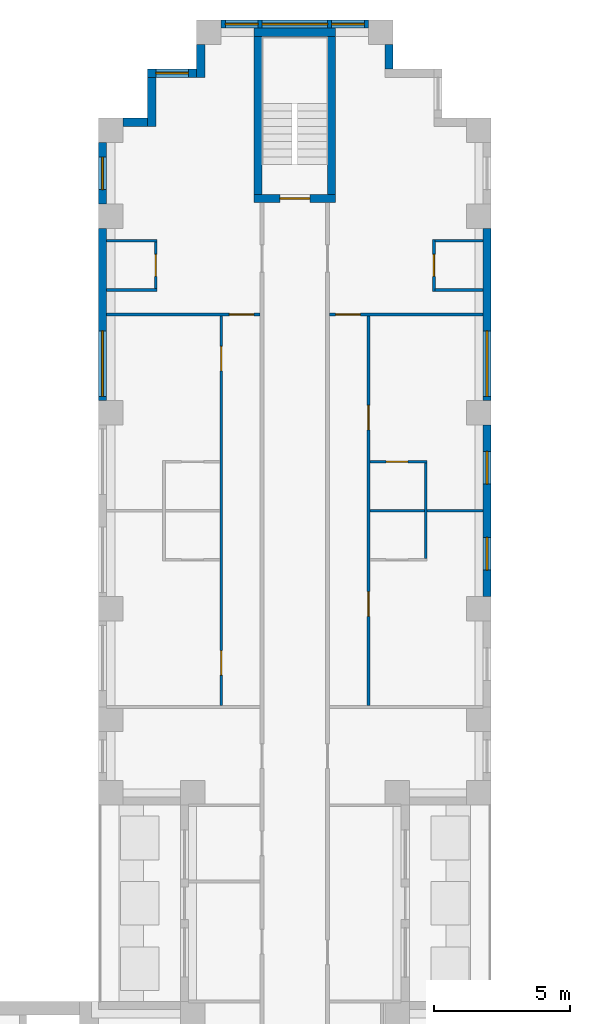
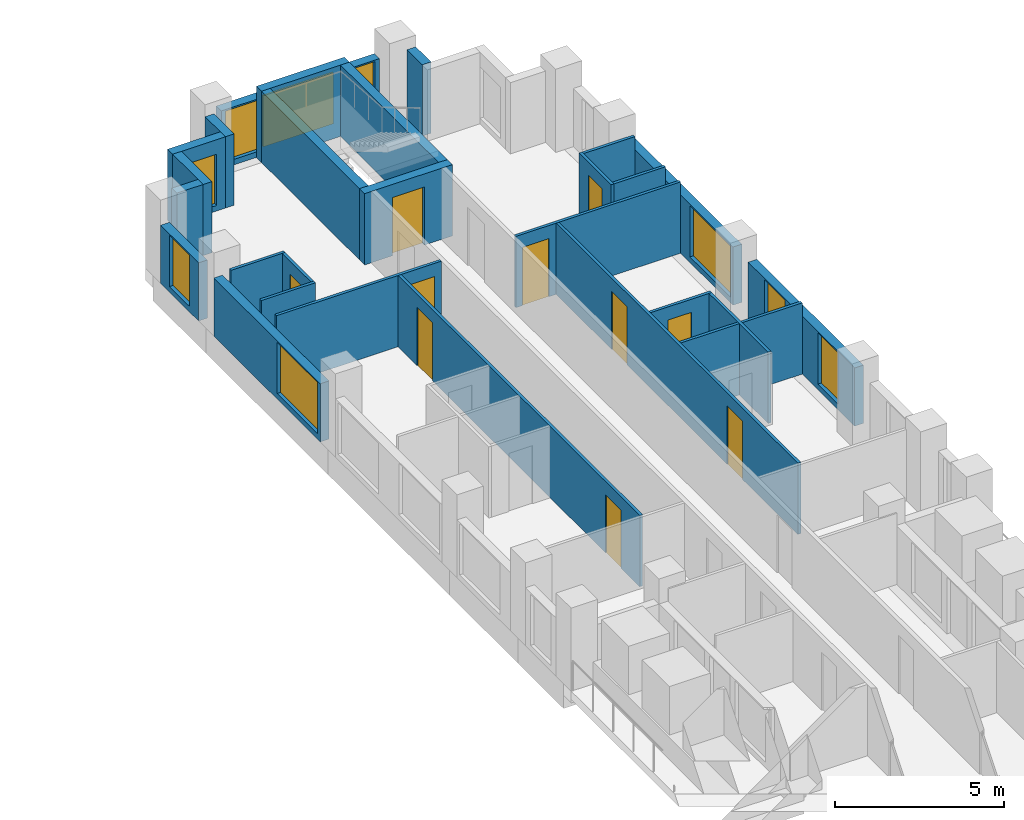
# One storey, part 12 of 16: 27 walls, 10 doors, 9 windows, 19 openings.
"""IFC4 building model written with IfcOpenShell, lengths in metres."""

from ifc_helpers import new_model, si_unit, direction, frame, frame_2d, origin, place, context, subcontext, project, spatial, rectangle, extrude, material, layer, layer_set, type_object, element, fill, save


model = new_model("IFC4")

# Units and contexts
model_context = context("Model", 3, precision=1e-05, world=origin(), true_north=direction((0.0, 1.0)))
body_context = subcontext(model_context, "Body", "Model", "MODEL_VIEW")
ifc_project = project(units=[si_unit("LENGTHUNIT", "METRE"), si_unit("AREAUNIT", "SQUARE_METRE"), si_unit("VOLUMEUNIT", "CUBIC_METRE"), si_unit("PLANEANGLEUNIT", "RADIAN"), si_unit("MASSUNIT", "GRAM", prefix="KILO")], contexts=[model_context])

# Site, building, storey
site_placement = place(None, origin())
site = spatial("IfcSite", under=ifc_project, at=site_placement, CompositionType="ELEMENT")
building_placement = place(site_placement, origin())
building = spatial("IfcBuilding", under=site, at=building_placement, Name="Fustian Cross Tower", CompositionType="ELEMENT")
storey_placement = place(building_placement, frame((0.0, 0.0, 26.699951171875)))
storey = spatial("IfcBuildingStorey", under=building, at=storey_placement, Name="L07", CompositionType="ELEMENT", Elevation=26.699951171875)

# Wall, opening, door
ifc_material_1 = material(Name="Plasterboard on steel stud", Category="steel")
ifc_layer_1 = layer(ifc_material_1, 0.10009765625)
ifc_layer_set_1 = layer_set([ifc_layer_1], Name="Plasterboard on steel stud")
wall_type_1 = type_object("IfcWallType", Name="PARTITION 100 STUD", PredefinedType="PARTITIONING", material=ifc_layer_set_1)
wall_1_placement = place(storey_placement, frame((-6.89990234375, 32.39990234375, 0.0), z_axis=(0.0, 0.0, 1.0), x_axis=(1.0, 0.0, 0.0)))
wall_1 = element("IfcWall", 1, at=wall_1_placement, inside=storey, type_object=wall_type_1, Name="Partition 26", PredefinedType="PARTITIONING", context=body_context, shape_type="SweptSolid", body=[
    extrude(rectangle(XDim=5.625, YDim=0.10009765625, at=frame_2d((2.8125, 0.0))), origin(), (0.0, 0.0, 1.0), 2.574951171875),
])
opening_1_placement = place(wall_1_placement, frame((4.5, 0.0, 0.0)))
opening_1 = element("IfcOpeningElement", 2, at=opening_1_placement, cuts=wall_1, Name="Opening D05027", PredefinedType="OPENING", context=body_context, shape_type="SweptSolid", body=[
    extrude(rectangle(XDim=0.89990234375, YDim=2.10009765625, at=frame_2d((0.449951171875, 1.050048828125))), frame((0.0, 0.06005859375, 0.0), z_axis=(0.0, -1.0, 0.0), x_axis=(1.0, 0.0, 0.0)), (0.0, 0.0, 1.0), 0.1201171875),
])
ifc_material_2 = material(Name="Painted timber", Category="wood")
door_type_1 = type_object("IfcDoorType", Name="SWING DOOR 900", OperationType="SINGLE_SWING_LEFT", PredefinedType="DOOR", material=ifc_material_2)
door_1_placement = place(opening_1_placement, frame((0.89990234375, 0.0, 0.0), z_axis=(0.0, 0.0, 1.0), x_axis=(-1.0, 0.0, 0.0)))
door_1 = element("IfcDoor", 3, at=door_1_placement, inside=storey, type_object=door_type_1, Name="Door D05027", OperationType="SINGLE_SWING_RIGHT", OverallHeight=2.10009765625, OverallWidth=0.89990234375, PredefinedType="DOOR", context=body_context, shape_type="SweptSolid", body=[
    extrude(rectangle(XDim=0.89990234375, YDim=2.10009765625, at=frame_2d((0.449951171875, 1.050048828125))), frame((0.0, 0.02490234375, 0.0), z_axis=(0.0, -1.0, 0.0), x_axis=(1.0, 0.0, 0.0)), (0.0, 0.0, 1.0), 0.050048828125),
])
fill(opening_1, door_1)

# Walls
for number, where, z_axis, x_axis, name in (
    (4, (-6.89990234375, 33.300048828125, 0.0), (0.0, 0.0, 1.0), (1.0, 0.0, 0.0), "Partition 27"),
    (5, (-6.89990234375, 35.10009765625, 0.0), (0.0, 0.0, 1.0), (1.0, 0.0, 0.0), "Partition 28"),
):
    element("IfcWall", number, at=place(storey_placement, frame(where, z_axis=z_axis, x_axis=x_axis)), inside=storey, type_object=wall_type_1, Name=name, PredefinedType="PARTITIONING", context=body_context, shape_type="SweptSolid", body=[
        extrude(rectangle(XDim=1.849853515625, YDim=0.10009765625, at=frame_2d((0.9248046875, 0.0))), origin(), (0.0, 0.0, 1.0), 2.574951171875),
    ])

# Wall, opening, door
wall_2_placement = place(storey_placement, frame((-5.10009765625, 33.35009765625, 0.0), z_axis=(0.0, 0.0, 1.0), x_axis=(0.0, 1.0, 0.0)))
wall_2 = element("IfcWall", 6, at=wall_2_placement, inside=storey, type_object=wall_type_1, Name="Partition 32", PredefinedType="PARTITIONING", context=body_context, shape_type="SweptSolid", body=[
    extrude(rectangle(XDim=1.699951171875, YDim=0.10009765625, at=frame_2d((0.85009765625, 0.0))), origin(), (0.0, 0.0, 1.0), 2.574951171875),
])
opening_2_placement = place(wall_2_placement, frame((0.449951171875, 0.0, 0.0)))
opening_2 = element("IfcOpeningElement", 7, at=opening_2_placement, cuts=wall_2, Name="Opening D05023", PredefinedType="OPENING", context=body_context, shape_type="SweptSolid", body=[
    extrude(rectangle(XDim=0.800048828125, YDim=2.10009765625, at=frame_2d((0.39990234375, 1.050048828125))), frame((0.0, 0.06005859375, 0.0), z_axis=(0.0, -1.0, 0.0), x_axis=(1.0, 0.0, 0.0)), (0.0, 0.0, 1.0), 0.1201171875),
])
ifc_material_3 = material(Name="Painted timber", Category="wood")
door_type_2 = type_object("IfcDoorType", Name="SWING DOOR 800", OperationType="SINGLE_SWING_LEFT", PredefinedType="DOOR", material=ifc_material_3)
door_2_placement = place(opening_2_placement, origin())
door_2 = element("IfcDoor", 8, at=door_2_placement, inside=storey, type_object=door_type_2, Name="Door D05023", OperationType="SINGLE_SWING_RIGHT", OverallHeight=2.10009765625, OverallWidth=0.800048828125, PredefinedType="DOOR", context=body_context, shape_type="SweptSolid", body=[
    extrude(rectangle(XDim=0.800048828125, YDim=2.10009765625, at=frame_2d((0.39990234375, 1.050048828125))), frame((0.0, 0.02490234375, 0.0), z_axis=(0.0, -1.0, 0.0), x_axis=(1.0, 0.0, 0.0)), (0.0, 0.0, 1.0), 0.050048828125),
])
fill(opening_2, door_2)

# Wall, openings, doors
wall_3_placement = place(storey_placement, frame((-2.699951171875, 18.050048828125, 0.0), z_axis=(0.0, 0.0, 1.0), x_axis=(0.0, 1.0, 0.0)))
wall_3 = element("IfcWall", 9, at=wall_3_placement, inside=storey, type_object=wall_type_1, Name="Partition 50", PredefinedType="PARTITIONING", context=body_context, shape_type="SweptSolid", body=[
    extrude(rectangle(XDim=14.300048828125, YDim=0.10009765625, at=frame_2d((7.14990234375, 0.0))), origin(), (0.0, 0.0, 1.0), 2.574951171875),
])
opening_3_placement = place(wall_3_placement, frame((1.1201171875, 0.0, 0.0)))
opening_3 = element("IfcOpeningElement", 10, at=opening_3_placement, cuts=wall_3, Name="Opening D05025", PredefinedType="OPENING", context=body_context, shape_type="SweptSolid", body=[
    extrude(rectangle(XDim=0.89990234375, YDim=2.10009765625, at=frame_2d((0.449951171875, 1.050048828125))), frame((0.0, 0.06005859375, 0.0), z_axis=(0.0, -1.0, 0.0), x_axis=(1.0, 0.0, 0.0)), (0.0, 0.0, 1.0), 0.1201171875),
])
opening_4_placement = place(wall_3_placement, frame((12.280029296875, 0.0, 0.0)))
opening_4 = element("IfcOpeningElement", 11, at=opening_4_placement, cuts=wall_3, Name="Opening D05026", PredefinedType="OPENING", context=body_context, shape_type="SweptSolid", body=[
    extrude(rectangle(XDim=0.89990234375, YDim=2.10009765625, at=frame_2d((0.449951171875, 1.050048828125))), frame((0.0, 0.06005859375, 0.0), z_axis=(0.0, -1.0, 0.0), x_axis=(1.0, 0.0, 0.0)), (0.0, 0.0, 1.0), 0.1201171875),
])
door_3_placement = place(opening_3_placement, frame((0.89990234375, 0.0, 0.0), z_axis=(0.0, 0.0, 1.0), x_axis=(-1.0, 0.0, 0.0)))
door_3 = element("IfcDoor", 12, at=door_3_placement, inside=storey, type_object=door_type_1, Name="Door D05025", OperationType="SINGLE_SWING_RIGHT", OverallHeight=2.10009765625, OverallWidth=0.89990234375, PredefinedType="DOOR", context=body_context, shape_type="SweptSolid", body=[
    extrude(rectangle(XDim=0.89990234375, YDim=2.10009765625, at=frame_2d((0.449951171875, 1.050048828125))), frame((0.0, 0.02490234375, 0.0), z_axis=(0.0, -1.0, 0.0), x_axis=(1.0, 0.0, 0.0)), (0.0, 0.0, 1.0), 0.050048828125),
])
fill(opening_3, door_3)
door_4_placement = place(opening_4_placement, frame((0.89990234375, 0.0, 0.0), z_axis=(0.0, 0.0, 1.0), x_axis=(-1.0, 0.0, 0.0)))
door_4 = element("IfcDoor", 13, at=door_4_placement, inside=storey, type_object=door_type_1, Name="Door D05026", OperationType="SINGLE_SWING_LEFT", OverallHeight=2.10009765625, OverallWidth=0.89990234375, PredefinedType="DOOR", context=body_context, shape_type="SweptSolid", body=[
    extrude(rectangle(XDim=0.89990234375, YDim=2.10009765625, at=frame_2d((0.449951171875, 1.050048828125))), frame((0.0, 0.02490234375, 0.0), z_axis=(0.0, -1.0, 0.0), x_axis=(1.0, 0.0, 0.0)), (0.0, 0.0, 1.0), 0.050048828125),
])
fill(opening_4, door_4)

# Wall, opening, door
wall_4_placement = place(storey_placement, frame((1.27490234375, 32.39990234375, 0.0), z_axis=(0.0, 0.0, 1.0), x_axis=(1.0, 0.0, 0.0)))
wall_4 = element("IfcWall", 14, at=wall_4_placement, inside=storey, type_object=wall_type_1, Name="Partition 63", PredefinedType="PARTITIONING", context=body_context, shape_type="SweptSolid", body=[
    extrude(rectangle(XDim=5.625, YDim=0.10009765625, at=frame_2d((2.8125, 0.0))), origin(), (0.0, 0.0, 1.0), 2.574951171875),
])
opening_5_placement = place(wall_4_placement, frame((0.22509765625, 0.0, 0.0)))
opening_5 = element("IfcOpeningElement", 15, at=opening_5_placement, cuts=wall_4, Name="Opening D05034", PredefinedType="OPENING", context=body_context, shape_type="SweptSolid", body=[
    extrude(rectangle(XDim=0.89990234375, YDim=2.10009765625, at=frame_2d((0.449951171875, 1.050048828125))), frame((0.0, 0.06005859375, 0.0), z_axis=(0.0, -1.0, 0.0), x_axis=(1.0, 0.0, 0.0)), (0.0, 0.0, 1.0), 0.1201171875),
])
door_5_placement = place(opening_5_placement, frame((0.89990234375, 0.0, 0.0), z_axis=(0.0, 0.0, 1.0), x_axis=(-1.0, 0.0, 0.0)))
door_5 = element("IfcDoor", 16, at=door_5_placement, inside=storey, type_object=door_type_1, Name="Door D05034", OperationType="SINGLE_SWING_RIGHT", OverallHeight=2.10009765625, OverallWidth=0.89990234375, PredefinedType="DOOR", context=body_context, shape_type="SweptSolid", body=[
    extrude(rectangle(XDim=0.89990234375, YDim=2.10009765625, at=frame_2d((0.449951171875, 1.050048828125))), frame((0.0, 0.02490234375, 0.0), z_axis=(0.0, -1.0, 0.0), x_axis=(1.0, 0.0, 0.0)), (0.0, 0.0, 1.0), 0.050048828125),
])
fill(opening_5, door_5)

# Wall, openings, doors
wall_5_placement = place(storey_placement, frame((2.699951171875, 18.050048828125, 0.0), z_axis=(0.0, 0.0, 1.0), x_axis=(0.0, 1.0, 0.0)))
wall_5 = element("IfcWall", 17, at=wall_5_placement, inside=storey, type_object=wall_type_1, Name="Partition 75", PredefinedType="PARTITIONING", context=body_context, shape_type="SweptSolid", body=[
    extrude(rectangle(XDim=14.300048828125, YDim=0.10009765625, at=frame_2d((7.14990234375, 0.0))), origin(), (0.0, 0.0, 1.0), 2.574951171875),
])
opening_6_placement = place(wall_5_placement, frame((3.280029296875, 0.0, 0.0)))
opening_6 = element("IfcOpeningElement", 18, at=opening_6_placement, cuts=wall_5, Name="Opening D05035", PredefinedType="OPENING", context=body_context, shape_type="SweptSolid", body=[
    extrude(rectangle(XDim=0.89990234375, YDim=2.10009765625, at=frame_2d((0.449951171875, 1.050048828125))), frame((0.0, 0.06005859375, 0.0), z_axis=(0.0, -1.0, 0.0), x_axis=(1.0, 0.0, 0.0)), (0.0, 0.0, 1.0), 0.1201171875),
])
opening_7_placement = place(wall_5_placement, frame((10.119873046875, 0.0, 0.0)))
opening_7 = element("IfcOpeningElement", 19, at=opening_7_placement, cuts=wall_5, Name="Opening D05036", PredefinedType="OPENING", context=body_context, shape_type="SweptSolid", body=[
    extrude(rectangle(XDim=0.89990234375, YDim=2.10009765625, at=frame_2d((0.449951171875, 1.050048828125))), frame((0.0, 0.06005859375, 0.0), z_axis=(0.0, -1.0, 0.0), x_axis=(1.0, 0.0, 0.0)), (0.0, 0.0, 1.0), 0.1201171875),
])
door_6_placement = place(opening_6_placement, origin())
door_6 = element("IfcDoor", 20, at=door_6_placement, inside=storey, type_object=door_type_1, Name="Door D05035", OperationType="SINGLE_SWING_LEFT", OverallHeight=2.10009765625, OverallWidth=0.89990234375, PredefinedType="DOOR", context=body_context, shape_type="SweptSolid", body=[
    extrude(rectangle(XDim=0.89990234375, YDim=2.10009765625, at=frame_2d((0.449951171875, 1.050048828125))), frame((0.0, 0.02490234375, 0.0), z_axis=(0.0, -1.0, 0.0), x_axis=(1.0, 0.0, 0.0)), (0.0, 0.0, 1.0), 0.050048828125),
])
fill(opening_6, door_6)
door_7_placement = place(opening_7_placement, origin())
door_7 = element("IfcDoor", 21, at=door_7_placement, inside=storey, type_object=door_type_1, Name="Door D05036", OperationType="SINGLE_SWING_RIGHT", OverallHeight=2.10009765625, OverallWidth=0.89990234375, PredefinedType="DOOR", context=body_context, shape_type="SweptSolid", body=[
    extrude(rectangle(XDim=0.89990234375, YDim=2.10009765625, at=frame_2d((0.449951171875, 1.050048828125))), frame((0.0, 0.02490234375, 0.0), z_axis=(0.0, -1.0, 0.0), x_axis=(1.0, 0.0, 0.0)), (0.0, 0.0, 1.0), 0.050048828125),
])
fill(opening_7, door_7)

# Wall
wall_6_placement = place(storey_placement, frame((2.75, 25.199951171875, 0.0), z_axis=(0.0, 0.0, 1.0), x_axis=(1.0, 0.0, 0.0)))
element("IfcWall", 22, at=wall_6_placement, inside=storey, type_object=wall_type_1, Name="Partition 77", PredefinedType="PARTITIONING", context=body_context, shape_type="SweptSolid", body=[
    extrude(rectangle(XDim=4.14990234375, YDim=0.10009765625, at=frame_2d((2.074951171875, 0.0))), origin(), (0.0, 0.0, 1.0), 2.574951171875),
])

# Wall, opening, door
wall_7_placement = place(storey_placement, frame((2.75, 27.0, 0.0), z_axis=(0.0, 0.0, 1.0), x_axis=(1.0, 0.0, 0.0)))
wall_7 = element("IfcWall", 23, at=wall_7_placement, inside=storey, type_object=wall_type_1, Name="Partition 78", PredefinedType="PARTITIONING", context=body_context, shape_type="SweptSolid", body=[
    extrude(rectangle(XDim=2.10009765625, YDim=0.10009765625, at=frame_2d((1.050048828125, 0.0))), origin(), (0.0, 0.0, 1.0), 2.574951171875),
])
opening_8_placement = place(wall_7_placement, frame((0.60009765625, 0.0, 0.0)))
opening_8 = element("IfcOpeningElement", 24, at=opening_8_placement, cuts=wall_7, Name="Opening D05038", PredefinedType="OPENING", context=body_context, shape_type="SweptSolid", body=[
    extrude(rectangle(XDim=0.800048828125, YDim=2.10009765625, at=frame_2d((0.39990234375, 1.050048828125))), frame((0.0, 0.06005859375, 0.0), z_axis=(0.0, -1.0, 0.0), x_axis=(1.0, 0.0, 0.0)), (0.0, 0.0, 1.0), 0.1201171875),
])
door_8_placement = place(opening_8_placement, frame((0.800048828125, 0.0, 0.0), z_axis=(0.0, 0.0, 1.0), x_axis=(-1.0, 0.0, 0.0)))
door_8 = element("IfcDoor", 25, at=door_8_placement, inside=storey, type_object=door_type_2, Name="Door D05038", OperationType="SINGLE_SWING_RIGHT", OverallHeight=2.10009765625, OverallWidth=0.800048828125, PredefinedType="DOOR", context=body_context, shape_type="SweptSolid", body=[
    extrude(rectangle(XDim=0.800048828125, YDim=2.10009765625, at=frame_2d((0.39990234375, 1.050048828125))), frame((0.0, 0.02490234375, 0.0), z_axis=(0.0, -1.0, 0.0), x_axis=(1.0, 0.0, 0.0)), (0.0, 0.0, 1.0), 0.050048828125),
])
fill(opening_8, door_8)

# Wall
wall_8_placement = place(storey_placement, frame((4.800048828125, 23.449951171875, 0.0), z_axis=(0.0, 0.0, 1.0), x_axis=(0.0, 1.0, 0.0)))
element("IfcWall", 26, at=wall_8_placement, inside=storey, type_object=wall_type_1, Name="Partition 84", PredefinedType="PARTITIONING", context=body_context, shape_type="SweptSolid", body=[
    extrude(rectangle(XDim=3.5, YDim=0.10009765625, at=frame_2d((1.75, 0.0))), origin(), (0.0, 0.0, 1.0), 2.574951171875),
])

# Wall, opening, door
wall_9_placement = place(storey_placement, frame((5.10009765625, 33.25, 0.0), z_axis=(0.0, 0.0, 1.0), x_axis=(0.0, 1.0, 0.0)))
wall_9 = element("IfcWall", 27, at=wall_9_placement, inside=storey, type_object=wall_type_1, Name="Partition 88", PredefinedType="PARTITIONING", context=body_context, shape_type="SweptSolid", body=[
    extrude(rectangle(XDim=1.89990234375, YDim=0.10009765625, at=frame_2d((0.949951171875, 0.0))), origin(), (0.0, 0.0, 1.0), 2.574951171875),
])
opening_9_placement = place(wall_9_placement, frame((0.550048828125, 0.0, 0.0)))
opening_9 = element("IfcOpeningElement", 28, at=opening_9_placement, cuts=wall_9, Name="Opening D05032", PredefinedType="OPENING", context=body_context, shape_type="SweptSolid", body=[
    extrude(rectangle(XDim=0.800048828125, YDim=2.10009765625, at=frame_2d((0.39990234375, 1.050048828125))), frame((0.0, 0.06005859375, 0.0), z_axis=(0.0, -1.0, 0.0), x_axis=(1.0, 0.0, 0.0)), (0.0, 0.0, 1.0), 0.1201171875),
])
door_9_placement = place(opening_9_placement, frame((0.800048828125, 0.0, 0.0), z_axis=(0.0, 0.0, 1.0), x_axis=(-1.0, 0.0, 0.0)))
door_9 = element("IfcDoor", 29, at=door_9_placement, inside=storey, type_object=door_type_2, Name="Door D05032", OperationType="SINGLE_SWING_LEFT", OverallHeight=2.10009765625, OverallWidth=0.800048828125, PredefinedType="DOOR", context=body_context, shape_type="SweptSolid", body=[
    extrude(rectangle(XDim=0.800048828125, YDim=2.10009765625, at=frame_2d((0.39990234375, 1.050048828125))), frame((0.0, 0.02490234375, 0.0), z_axis=(0.0, -1.0, 0.0), x_axis=(1.0, 0.0, 0.0)), (0.0, 0.0, 1.0), 0.050048828125),
])
fill(opening_9, door_9)

# Walls
for number, where, z_axis, x_axis, name in (
    (30, (5.14990234375, 33.300048828125, 0.0), (0.0, 0.0, 1.0), (1.0, 0.0, 0.0), "Partition 89"),
    (31, (5.14990234375, 35.10009765625, 0.0), (0.0, 0.0, 1.0), (1.0, 0.0, 0.0), "Partition 90"),
):
    element("IfcWall", number, at=place(storey_placement, frame(where, z_axis=z_axis, x_axis=x_axis)), inside=storey, type_object=wall_type_1, Name=name, PredefinedType="PARTITIONING", context=body_context, shape_type="SweptSolid", body=[
        extrude(rectangle(XDim=1.75, YDim=0.10009765625, at=frame_2d((0.875, 0.0))), origin(), (0.0, 0.0, 1.0), 2.574951171875),
    ])

# Wall, opening, door
ifc_material_4 = material(Name="Concrete C50/60", Category="concrete")
ifc_layer_2 = layer(ifc_material_4, 0.300048828125)
ifc_layer_set_2 = layer_set([ifc_layer_2], Name="Concrete C50/60")
wall_type_2 = type_object("IfcWallType", Name="STAIR ENCLOSURE WALL 300 C50/60", PredefinedType="SHEAR", material=ifc_layer_set_2)
wall_10_placement = place(storey_placement, frame((-1.5, 36.64990234375, 0.0), z_axis=(0.0, 0.0, 1.0), x_axis=(1.0, 0.0, 0.0)))
wall_10 = element("IfcWall", 32, at=wall_10_placement, inside=storey, type_object=wall_type_2, Name="Stair enclosure wall", PredefinedType="SHEAR", context=body_context, shape_type="SweptSolid", body=[
    extrude(rectangle(XDim=3.0, YDim=0.300048828125, at=frame_2d((1.5, 0.0))), origin(), (0.0, 0.0, 1.0), 2.574951171875),
])
opening_10_placement = place(wall_10_placement, frame((0.949951171875, 0.0, 0.0)))
opening_10 = element("IfcOpeningElement", 33, at=opening_10_placement, cuts=wall_10, Name="Opening CD-05-31", PredefinedType="OPENING", context=body_context, shape_type="SweptSolid", body=[
    extrude(rectangle(XDim=1.10009765625, YDim=2.10009765625, at=frame_2d((0.550048828125, 1.050048828125))), frame((0.0, 0.159912109375, 0.0), z_axis=(0.0, -1.0, 0.0), x_axis=(1.0, 0.0, 0.0)), (0.0, 0.0, 1.0), 0.320068359375),
])
ifc_material_5 = material(Name="Steel", Category="steel")
door_type_3 = type_object("IfcDoorType", Name="FIRE DOOR FD60S 1100X2100", OperationType="SINGLE_SWING_LEFT", PredefinedType="DOOR", material=ifc_material_5)
door_10_placement = place(opening_10_placement, origin())
door_10 = element("IfcDoor", 34, at=door_10_placement, inside=storey, type_object=door_type_3, Name="Core door CD-05-31", OperationType="SINGLE_SWING_LEFT", OverallHeight=2.10009765625, OverallWidth=1.10009765625, PredefinedType="DOOR", context=body_context, shape_type="SweptSolid", body=[
    extrude(rectangle(XDim=1.10009765625, YDim=2.10009765625, at=frame_2d((0.550048828125, 1.050048828125))), frame((0.0, 0.02490234375, 0.0), z_axis=(0.0, -1.0, 0.0), x_axis=(1.0, 0.0, 0.0)), (0.0, 0.0, 1.0), 0.050048828125),
])
fill(opening_10, door_10)

# Walls
wall_11_placement = place(storey_placement, frame((-1.5, 42.75, 0.0), z_axis=(0.0, 0.0, 1.0), x_axis=(1.0, 0.0, 0.0)))
element("IfcWall", 35, at=wall_11_placement, inside=storey, type_object=wall_type_2, Name="Stair enclosure wall", PredefinedType="SHEAR", context=body_context, shape_type="SweptSolid", body=[
    extrude(rectangle(XDim=3.0, YDim=0.300048828125, at=frame_2d((1.5, 0.0))), origin(), (0.0, 0.0, 1.0), 2.574951171875),
])
for number, where, z_axis, x_axis, name in (
    (36, (-1.35009765625, 36.800048828125, 0.0), (0.0, 0.0, 1.0), (0.0, 1.0, 0.0), "Stair enclosure wall"),
    (37, (1.35009765625, 36.800048828125, 0.0), (0.0, 0.0, 1.0), (0.0, 1.0, 0.0), "Stair enclosure wall"),
):
    element("IfcWall", number, at=place(storey_placement, frame(where, z_axis=z_axis, x_axis=x_axis)), inside=storey, type_object=wall_type_2, Name=name, PredefinedType="SHEAR", context=body_context, shape_type="SweptSolid", body=[
        extrude(rectangle(XDim=5.800048828125, YDim=0.300048828125, at=frame_2d((2.89990234375, 0.0))), origin(), (0.0, 0.0, 1.0), 2.574951171875),
    ])

# Wall, openings, windows
ifc_material_6 = material(Name="Dark aluminium cladding on insulated backing wall", Category="aluminium")
ifc_layer_3 = layer(ifc_material_6, 0.300048828125)
ifc_layer_set_3 = layer_set([ifc_layer_3], Name="Dark aluminium cladding on insulated backing wall")
wall_type_3 = type_object("IfcWallType", Name="XW1 EXTERNAL WALL 300", PredefinedType="SOLIDWALL", material=ifc_layer_set_3)
wall_12_placement = place(storey_placement, frame((7.050048828125, 22.050048828125, 0.0), z_axis=(0.0, 0.0, 1.0), x_axis=(0.0, 1.0, 0.0)))
wall_12 = element("IfcWall", 38, at=wall_12_placement, inside=storey, type_object=wall_type_3, Name="External wall", PredefinedType="SOLIDWALL", context=body_context, shape_type="SweptSolid", body=[
    extrude(rectangle(XDim=6.300048828125, YDim=0.300048828125, at=frame_2d((3.14990234375, 0.0))), origin(), (0.0, 0.0, 1.0), 2.10009765625),
])
opening_11_placement = place(wall_12_placement, frame((0.97509765625, 0.0, 0.199951171875)))
opening_11 = element("IfcOpeningElement", 39, at=opening_11_placement, cuts=wall_12, Name="Opening WN3", PredefinedType="OPENING", context=body_context, shape_type="SweptSolid", body=[
    extrude(rectangle(XDim=1.199951171875, YDim=1.85009765625, at=frame_2d((0.60009765625, 0.925048828125))), frame((0.0, 0.159912109375, 0.0), z_axis=(0.0, -1.0, 0.0), x_axis=(1.0, 0.0, 0.0)), (0.0, 0.0, 1.0), 0.320068359375),
])
opening_12_placement = place(wall_12_placement, frame((4.125, 0.0, 0.199951171875)))
opening_12 = element("IfcOpeningElement", 40, at=opening_12_placement, cuts=wall_12, Name="Opening WN3", PredefinedType="OPENING", context=body_context, shape_type="SweptSolid", body=[
    extrude(rectangle(XDim=1.199951171875, YDim=1.85009765625, at=frame_2d((0.60009765625, 0.925048828125))), frame((0.0, 0.159912109375, 0.0), z_axis=(0.0, -1.0, 0.0), x_axis=(1.0, 0.0, 0.0)), (0.0, 0.0, 1.0), 0.320068359375),
])
ifc_material_7 = material(Name="Dark anodised aluminium and double glazing", Category="aluminium")
window_type_1 = type_object("IfcWindowType", Name="WN3 WINDOW 1200X1850", PartitioningType="SINGLE_PANEL", PredefinedType="WINDOW", material=ifc_material_7)
window_1_placement = place(opening_11_placement, origin())
window_1 = element("IfcWindow", 41, at=window_1_placement, inside=storey, type_object=window_type_1, Name="Window", OverallHeight=1.85009765625, OverallWidth=1.199951171875, PartitioningType="SINGLE_PANEL", PredefinedType="WINDOW", context=body_context, shape_type="SweptSolid", body=[
    extrude(rectangle(XDim=1.199951171875, YDim=1.85009765625, at=frame_2d((0.60009765625, 0.925048828125))), frame((0.0, 0.030029296875, 0.0), z_axis=(0.0, -1.0, 0.0), x_axis=(1.0, 0.0, 0.0)), (0.0, 0.0, 1.0), 0.06005859375),
])
fill(opening_11, window_1)
window_2_placement = place(opening_12_placement, origin())
window_2 = element("IfcWindow", 42, at=window_2_placement, inside=storey, type_object=window_type_1, Name="Window", OverallHeight=1.85009765625, OverallWidth=1.199951171875, PartitioningType="SINGLE_PANEL", PredefinedType="WINDOW", context=body_context, shape_type="SweptSolid", body=[
    extrude(rectangle(XDim=1.199951171875, YDim=1.85009765625, at=frame_2d((0.60009765625, 0.925048828125))), frame((0.0, 0.030029296875, 0.0), z_axis=(0.0, -1.0, 0.0), x_axis=(1.0, 0.0, 0.0)), (0.0, 0.0, 1.0), 0.06005859375),
])
fill(opening_12, window_2)

# Wall, opening, window
wall_13_placement = place(storey_placement, frame((7.050048828125, 29.25, 0.0), z_axis=(0.0, 0.0, 1.0), x_axis=(0.0, 1.0, 0.0)))
wall_13 = element("IfcWall", 43, at=wall_13_placement, inside=storey, type_object=wall_type_3, Name="External wall", PredefinedType="SOLIDWALL", context=body_context, shape_type="SweptSolid", body=[
    extrude(rectangle(XDim=6.300048828125, YDim=0.300048828125, at=frame_2d((3.14990234375, 0.0))), origin(), (0.0, 0.0, 1.0), 2.10009765625),
])
opening_13_placement = place(wall_13_placement, frame((0.14990234375, 0.0, 0.199951171875)))
opening_13 = element("IfcOpeningElement", 44, at=opening_13_placement, cuts=wall_13, Name="Opening WN1", PredefinedType="OPENING", context=body_context, shape_type="SweptSolid", body=[
    extrude(rectangle(XDim=2.39990234375, YDim=1.85009765625, at=frame_2d((1.199951171875, 0.925048828125))), frame((0.0, 0.159912109375, 0.0), z_axis=(0.0, -1.0, 0.0), x_axis=(1.0, 0.0, 0.0)), (0.0, 0.0, 1.0), 0.320068359375),
])
ifc_material_8 = material(Name="Dark anodised aluminium and double glazing", Category="aluminium")
window_type_2 = type_object("IfcWindowType", Name="WN1 WINDOW 2400X1850", PartitioningType="SINGLE_PANEL", PredefinedType="WINDOW", material=ifc_material_8)
window_3_placement = place(opening_13_placement, origin())
window_3 = element("IfcWindow", 45, at=window_3_placement, inside=storey, type_object=window_type_2, Name="Window", OverallHeight=1.85009765625, OverallWidth=2.39990234375, PartitioningType="SINGLE_PANEL", PredefinedType="WINDOW", context=body_context, shape_type="SweptSolid", body=[
    extrude(rectangle(XDim=2.39990234375, YDim=1.85009765625, at=frame_2d((1.199951171875, 0.925048828125))), frame((0.0, 0.030029296875, 0.0), z_axis=(0.0, -1.0, 0.0), x_axis=(1.0, 0.0, 0.0)), (0.0, 0.0, 1.0), 0.06005859375),
])
fill(opening_13, window_3)

# Wall
wall_14_placement = place(storey_placement, frame((3.449951171875, 41.39990234375, 0.0), z_axis=(0.0, 0.0, 1.0), x_axis=(0.0, 1.0, 0.0)))
element("IfcWall", 46, at=wall_14_placement, inside=storey, type_object=wall_type_3, Name="External wall", PredefinedType="SOLIDWALL", context=body_context, shape_type="SweptSolid", body=[
    extrude(rectangle(XDim=0.900146484375, YDim=0.300048828125, at=frame_2d((0.4501953125, 0.0))), origin(), (0.0, 0.0, 1.0), 2.574951171875),
])

# Wall, openings, windows
wall_15_placement = place(storey_placement, frame((2.699951171875, 43.050048828125, 0.0), z_axis=(0.0, 0.0, 1.0), x_axis=(-1.0, 0.0, 0.0)))
wall_15 = element("IfcWall", 47, at=wall_15_placement, inside=storey, type_object=wall_type_3, Name="External wall", PredefinedType="SOLIDWALL", context=body_context, shape_type="SweptSolid", body=[
    extrude(rectangle(XDim=5.39990234375, YDim=0.300048828125, at=frame_2d((2.699951171875, 0.0))), origin(), (0.0, 0.0, 1.0), 2.10009765625),
])
opening_14_placement = place(wall_15_placement, frame((1.5, 0.0, 0.199951171875)))
opening_14 = element("IfcOpeningElement", 48, at=opening_14_placement, cuts=wall_15, Name="Opening WN1", PredefinedType="OPENING", context=body_context, shape_type="SweptSolid", body=[
    extrude(rectangle(XDim=2.39990234375, YDim=1.85009765625, at=frame_2d((1.199951171875, 0.925048828125))), frame((0.0, 0.159912109375, 0.0), z_axis=(0.0, -1.0, 0.0), x_axis=(1.0, 0.0, 0.0)), (0.0, 0.0, 1.0), 0.320068359375),
])
opening_15_placement = place(wall_15_placement, frame((0.14990234375, 0.0, 0.199951171875)))
opening_15 = element("IfcOpeningElement", 49, at=opening_15_placement, cuts=wall_15, Name="Opening WN3", PredefinedType="OPENING", context=body_context, shape_type="SweptSolid", body=[
    extrude(rectangle(XDim=1.199951171875, YDim=1.85009765625, at=frame_2d((0.60009765625, 0.925048828125))), frame((0.0, 0.159912109375, 0.0), z_axis=(0.0, -1.0, 0.0), x_axis=(1.0, 0.0, 0.0)), (0.0, 0.0, 1.0), 0.320068359375),
])
opening_16_placement = place(wall_15_placement, frame((4.050048828125, 0.0, 0.199951171875)))
opening_16 = element("IfcOpeningElement", 50, at=opening_16_placement, cuts=wall_15, Name="Opening WN3", PredefinedType="OPENING", context=body_context, shape_type="SweptSolid", body=[
    extrude(rectangle(XDim=1.199951171875, YDim=1.85009765625, at=frame_2d((0.60009765625, 0.925048828125))), frame((0.0, 0.159912109375, 0.0), z_axis=(0.0, -1.0, 0.0), x_axis=(1.0, 0.0, 0.0)), (0.0, 0.0, 1.0), 0.320068359375),
])
window_4_placement = place(opening_14_placement, origin())
window_4 = element("IfcWindow", 51, at=window_4_placement, inside=storey, type_object=window_type_2, Name="Window", OverallHeight=1.85009765625, OverallWidth=2.39990234375, PartitioningType="SINGLE_PANEL", PredefinedType="WINDOW", context=body_context, shape_type="SweptSolid", body=[
    extrude(rectangle(XDim=2.39990234375, YDim=1.85009765625, at=frame_2d((1.199951171875, 0.925048828125))), frame((0.0, 0.030029296875, 0.0), z_axis=(0.0, -1.0, 0.0), x_axis=(1.0, 0.0, 0.0)), (0.0, 0.0, 1.0), 0.06005859375),
])
fill(opening_14, window_4)
window_5_placement = place(opening_15_placement, origin())
window_5 = element("IfcWindow", 52, at=window_5_placement, inside=storey, type_object=window_type_1, Name="Window", OverallHeight=1.85009765625, OverallWidth=1.199951171875, PartitioningType="SINGLE_PANEL", PredefinedType="WINDOW", context=body_context, shape_type="SweptSolid", body=[
    extrude(rectangle(XDim=1.199951171875, YDim=1.85009765625, at=frame_2d((0.60009765625, 0.925048828125))), frame((0.0, 0.030029296875, 0.0), z_axis=(0.0, -1.0, 0.0), x_axis=(1.0, 0.0, 0.0)), (0.0, 0.0, 1.0), 0.06005859375),
])
fill(opening_15, window_5)
window_6_placement = place(opening_16_placement, origin())
window_6 = element("IfcWindow", 53, at=window_6_placement, inside=storey, type_object=window_type_1, Name="Window", OverallHeight=1.85009765625, OverallWidth=1.199951171875, PartitioningType="SINGLE_PANEL", PredefinedType="WINDOW", context=body_context, shape_type="SweptSolid", body=[
    extrude(rectangle(XDim=1.199951171875, YDim=1.85009765625, at=frame_2d((0.60009765625, 0.925048828125))), frame((0.0, 0.030029296875, 0.0), z_axis=(0.0, -1.0, 0.0), x_axis=(1.0, 0.0, 0.0)), (0.0, 0.0, 1.0), 0.06005859375),
])
fill(opening_16, window_6)

# Wall
wall_16_placement = place(storey_placement, frame((-3.449951171875, 42.300048828125, 0.0), z_axis=(0.0, 0.0, 1.0), x_axis=(0.0, -1.0, 0.0)))
element("IfcWall", 54, at=wall_16_placement, inside=storey, type_object=wall_type_3, Name="External wall", PredefinedType="SOLIDWALL", context=body_context, shape_type="SweptSolid", body=[
    extrude(rectangle(XDim=1.199951171875, YDim=0.300048828125, at=frame_2d((0.60009765625, 0.0))), origin(), (0.0, 0.0, 1.0), 2.574951171875),
])

# Wall, opening, window
wall_17_placement = place(storey_placement, frame((-3.60009765625, 41.25, 0.0), z_axis=(0.0, 0.0, 1.0), x_axis=(-1.0, 0.0, 0.0)))
wall_17 = element("IfcWall", 55, at=wall_17_placement, inside=storey, type_object=wall_type_3, Name="External wall", PredefinedType="SOLIDWALL", context=body_context, shape_type="SweptSolid", body=[
    extrude(rectangle(XDim=1.7998046875, YDim=0.300048828125, at=frame_2d((0.89990234375, 0.0))), origin(), (0.0, 0.0, 1.0), 2.574951171875),
])
opening_17_placement = place(wall_17_placement, frame((0.300048828125, 0.0, 0.199951171875)))
opening_17 = element("IfcOpeningElement", 56, at=opening_17_placement, cuts=wall_17, Name="Opening WN3", PredefinedType="OPENING", context=body_context, shape_type="SweptSolid", body=[
    extrude(rectangle(XDim=1.199951171875, YDim=1.85009765625, at=frame_2d((0.60009765625, 0.925048828125))), frame((0.0, 0.159912109375, 0.0), z_axis=(0.0, -1.0, 0.0), x_axis=(1.0, 0.0, 0.0)), (0.0, 0.0, 1.0), 0.320068359375),
])
window_7_placement = place(opening_17_placement, origin())
window_7 = element("IfcWindow", 57, at=window_7_placement, inside=storey, type_object=window_type_1, Name="Window", OverallHeight=1.85009765625, OverallWidth=1.199951171875, PartitioningType="SINGLE_PANEL", PredefinedType="WINDOW", context=body_context, shape_type="SweptSolid", body=[
    extrude(rectangle(XDim=1.199951171875, YDim=1.85009765625, at=frame_2d((0.60009765625, 0.925048828125))), frame((0.0, 0.030029296875, 0.0), z_axis=(0.0, -1.0, 0.0), x_axis=(1.0, 0.0, 0.0)), (0.0, 0.0, 1.0), 0.06005859375),
])
fill(opening_17, window_7)

# Walls
wall_18_placement = place(storey_placement, frame((-5.25, 41.10009765625, 0.0), z_axis=(0.0, 0.0, 1.0), x_axis=(0.0, -1.0, 0.0)))
element("IfcWall", 58, at=wall_18_placement, inside=storey, type_object=wall_type_3, Name="External wall", PredefinedType="SOLIDWALL", context=body_context, shape_type="SweptSolid", body=[
    extrude(rectangle(XDim=1.800048828125, YDim=0.300048828125, at=frame_2d((0.89990234375, 0.0))), origin(), (0.0, 0.0, 1.0), 2.574951171875),
])
wall_19_placement = place(storey_placement, frame((-5.39990234375, 39.449951171875, 0.0), z_axis=(0.0, 0.0, 1.0), x_axis=(-1.0, 0.0, 0.0)))
element("IfcWall", 59, at=wall_19_placement, inside=storey, type_object=wall_type_3, Name="External wall", PredefinedType="SOLIDWALL", context=body_context, shape_type="SweptSolid", body=[
    extrude(rectangle(XDim=0.900146484375, YDim=0.300048828125, at=frame_2d((0.4501953125, 0.0))), origin(), (0.0, 0.0, 1.0), 2.574951171875),
])

# Wall, opening, window
wall_20_placement = place(storey_placement, frame((-7.050048828125, 38.699951171875, 0.0), z_axis=(0.0, 0.0, 1.0), x_axis=(0.0, -1.0, 0.0)))
wall_20 = element("IfcWall", 60, at=wall_20_placement, inside=storey, type_object=wall_type_3, Name="External wall", PredefinedType="SOLIDWALL", context=body_context, shape_type="SweptSolid", body=[
    extrude(rectangle(XDim=2.25, YDim=0.300048828125, at=frame_2d((1.125, 0.0))), origin(), (0.0, 0.0, 1.0), 2.10009765625),
])
opening_18_placement = place(wall_20_placement, frame((0.52490234375, 0.0, 0.199951171875)))
opening_18 = element("IfcOpeningElement", 61, at=opening_18_placement, cuts=wall_20, Name="Opening WN3", PredefinedType="OPENING", context=body_context, shape_type="SweptSolid", body=[
    extrude(rectangle(XDim=1.199951171875, YDim=1.85009765625, at=frame_2d((0.60009765625, 0.925048828125))), frame((0.0, 0.159912109375, 0.0), z_axis=(0.0, -1.0, 0.0), x_axis=(1.0, 0.0, 0.0)), (0.0, 0.0, 1.0), 0.320068359375),
])
window_8_placement = place(opening_18_placement, origin())
window_8 = element("IfcWindow", 62, at=window_8_placement, inside=storey, type_object=window_type_1, Name="Window", OverallHeight=1.85009765625, OverallWidth=1.199951171875, PartitioningType="SINGLE_PANEL", PredefinedType="WINDOW", context=body_context, shape_type="SweptSolid", body=[
    extrude(rectangle(XDim=1.199951171875, YDim=1.85009765625, at=frame_2d((0.60009765625, 0.925048828125))), frame((0.0, 0.030029296875, 0.0), z_axis=(0.0, -1.0, 0.0), x_axis=(1.0, 0.0, 0.0)), (0.0, 0.0, 1.0), 0.06005859375),
])
fill(opening_18, window_8)

wall_21_placement = place(storey_placement, frame((-7.050048828125, 35.550048828125, 0.0), z_axis=(0.0, 0.0, 1.0), x_axis=(0.0, -1.0, 0.0)))
wall_21 = element("IfcWall", 63, at=wall_21_placement, inside=storey, type_object=wall_type_3, Name="External wall", PredefinedType="SOLIDWALL", context=body_context, shape_type="SweptSolid", body=[
    extrude(rectangle(XDim=6.300048828125, YDim=0.300048828125, at=frame_2d((3.14990234375, 0.0))), origin(), (0.0, 0.0, 1.0), 2.10009765625),
])
opening_19_placement = place(wall_21_placement, frame((3.75, 0.0, 0.199951171875)))
opening_19 = element("IfcOpeningElement", 64, at=opening_19_placement, cuts=wall_21, Name="Opening WN1", PredefinedType="OPENING", context=body_context, shape_type="SweptSolid", body=[
    extrude(rectangle(XDim=2.39990234375, YDim=1.85009765625, at=frame_2d((1.199951171875, 0.925048828125))), frame((0.0, 0.159912109375, 0.0), z_axis=(0.0, -1.0, 0.0), x_axis=(1.0, 0.0, 0.0)), (0.0, 0.0, 1.0), 0.320068359375),
])
window_9_placement = place(opening_19_placement, origin())
window_9 = element("IfcWindow", 65, at=window_9_placement, inside=storey, type_object=window_type_2, Name="Window", OverallHeight=1.85009765625, OverallWidth=2.39990234375, PartitioningType="SINGLE_PANEL", PredefinedType="WINDOW", context=body_context, shape_type="SweptSolid", body=[
    extrude(rectangle(XDim=2.39990234375, YDim=1.85009765625, at=frame_2d((1.199951171875, 0.925048828125))), frame((0.0, 0.030029296875, 0.0), z_axis=(0.0, -1.0, 0.0), x_axis=(1.0, 0.0, 0.0)), (0.0, 0.0, 1.0), 0.06005859375),
])
fill(opening_19, window_9)

save(model, "model.ifc")
